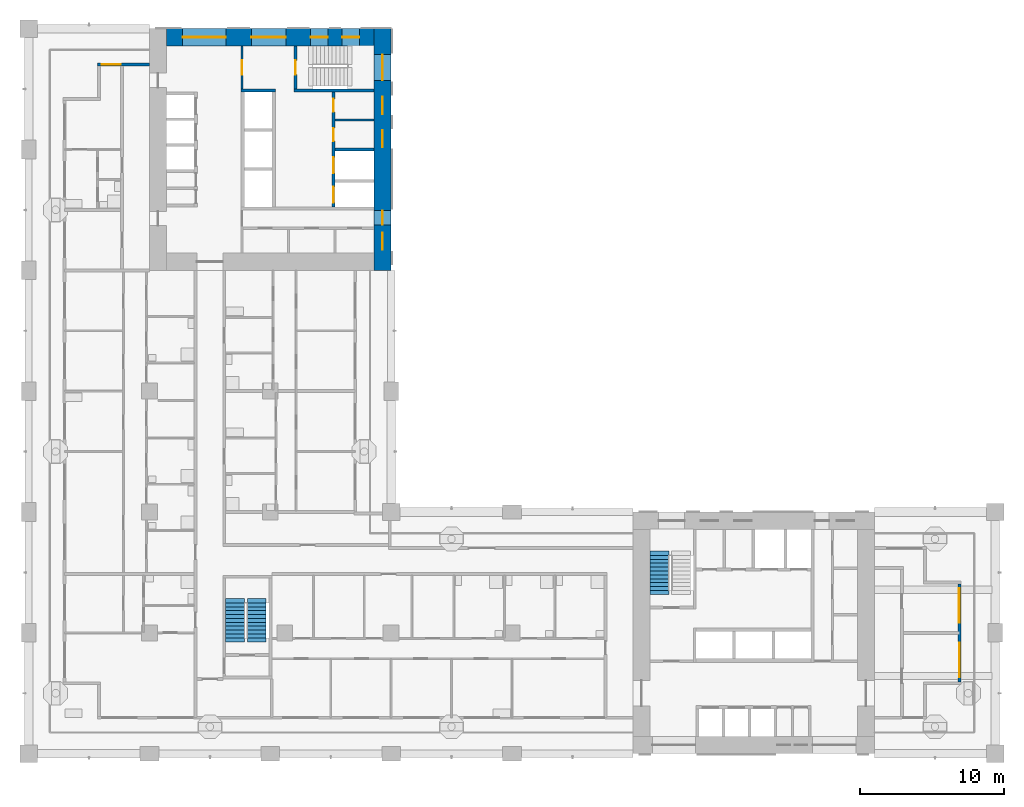
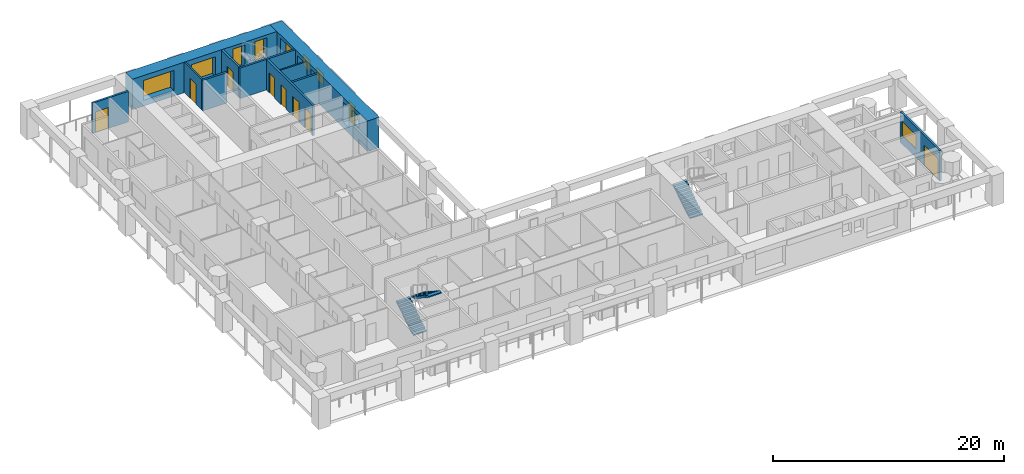
# One storey, part 8 of 19: 11 walls, 10 windows, 8 doors, 3 stair flights, 18 openings, 2 elements without a shape of their own.
"""IFC4 building model written with IfcOpenShell, lengths in metres."""

from ifc_helpers import new_model, si_unit, direction, frame, frame_2d, origin, place, context, subcontext, project, spatial, polyline, rectangle, outline, extrude, material, layer, layer_set, type_object, element, fill, aggregate, save


model = new_model("IFC4")

# Units and contexts
model_context = context("Model", 3, precision=1e-05, world=origin(), true_north=direction((0.0, 1.0)))
body_context = subcontext(model_context, "Body", "Model", "MODEL_VIEW")
ifc_project = project(units=[si_unit("LENGTHUNIT", "METRE"), si_unit("AREAUNIT", "SQUARE_METRE"), si_unit("VOLUMEUNIT", "CUBIC_METRE"), si_unit("PLANEANGLEUNIT", "RADIAN"), si_unit("MASSUNIT", "GRAM", prefix="KILO")], contexts=[model_context])

# Site, building, storey
site_placement = place(None, origin())
site = spatial("IfcSite", under=ifc_project, at=site_placement, CompositionType="ELEMENT")
building_placement = place(site_placement, origin())
building = spatial("IfcBuilding", under=site, at=building_placement, Name="Vermilion Gate Residences", CompositionType="ELEMENT")
storey_placement = place(building_placement, frame((0.0, 0.0, 123.199951171875)))
storey = spatial("IfcBuildingStorey", under=building, at=storey_placement, Name="L31", CompositionType="ELEMENT", Elevation=123.199951171875)

# Wall
ifc_material_1 = material(Name="Masonry blockwork", Category="masonry")
ifc_layer_1 = layer(ifc_material_1, 0.14990234375)
ifc_layer_set_1 = layer_set([ifc_layer_1], Name="BLOCKWORK PARTITION 150 EI 120")
wall_type_1 = type_object("IfcWallType", Name="BLOCKWORK PARTITION 150 EI 120", PredefinedType="PARTITIONING", material=ifc_layer_set_1)
wall_1_placement = place(storey_placement, frame((21.300048828125, 52.449951171875, 0.0), z_axis=(0.0, 0.0, 1.0), x_axis=(1.0, 0.0, 0.0)))
element("IfcWall", 1, at=wall_1_placement, inside=storey, type_object=wall_type_1, Name="Core room partition B31-NR-P0", PredefinedType="PARTITIONING", context=body_context, shape_type="SweptSolid", body=[
    extrude(rectangle(XDim=2.699951171875, YDim=0.14990234375, at=frame_2d((1.35009765625, 0.0))), origin(), (0.0, 0.0, 1.0), 3.219970703125),
])

# Wall, opening, door
wall_2_placement = place(storey_placement, frame((14.824951171875, 57.60009765625, 0.0), z_axis=(0.0, 0.0, 1.0), x_axis=(0.0, -1.0, 0.0)))
wall_2 = element("IfcWall", 2, at=wall_2_placement, inside=storey, type_object=wall_type_1, Name="Core room partition B31-VW-S", PredefinedType="PARTITIONING", context=body_context, shape_type="SweptSolid", body=[
    extrude(rectangle(XDim=3.0, YDim=0.14990234375, at=frame_2d((1.5, 0.0))), origin(), (0.0, 0.0, 1.0), 3.219970703125),
])
opening_1_placement = place(wall_2_placement, frame((1.0, 0.0, 0.0)))
opening_1 = element("IfcOpeningElement", 3, at=opening_1_placement, cuts=wall_2, Name="Opening DK31113", PredefinedType="OPENING", context=body_context, shape_type="SweptSolid", body=[
    extrude(rectangle(XDim=1.0, YDim=2.10009765625, at=frame_2d((0.5, 1.050048828125))), frame((0.0, 0.0849609375, 0.0), z_axis=(0.0, -1.0, 0.0), x_axis=(1.0, 0.0, 0.0)), (0.0, 0.0, 1.0), 0.169921875),
])
ifc_material_2 = material(Name="Steel", Category="steel")
door_type_1 = type_object("IfcDoorType", Name="FIRE DOOR FD60 1000 X 2100", OperationType="SINGLE_SWING_LEFT", PredefinedType="DOOR", material=ifc_material_2)
door_1_placement = place(opening_1_placement, frame((1.0, 0.0, 0.0), z_axis=(0.0, 0.0, 1.0), x_axis=(-1.0, 0.0, 0.0)))
door_1 = element("IfcDoor", 4, at=door_1_placement, inside=storey, type_object=door_type_1, Name="Stair vestibule door B31", OperationType="SINGLE_SWING_RIGHT", OverallHeight=2.10009765625, OverallWidth=1.0, PredefinedType="DOOR", context=body_context, shape_type="SweptSolid", body=[
    extrude(rectangle(XDim=1.0, YDim=2.10009765625, at=frame_2d((0.5, 1.050048828125))), frame((0.0, 0.02490234375, 0.0), z_axis=(0.0, -1.0, 0.0), x_axis=(1.0, 0.0, 0.0)), (0.0, 0.0, 1.0), 0.050048828125),
])
fill(opening_1, door_1)

ifc_material_3 = material(Name="Insulated steel stud wall with terracotta rainscreen", Category="masonry")
ifc_layer_2 = layer(ifc_material_3, 0.199951171875)
ifc_layer_set_2 = layer_set([ifc_layer_2], Name="EXTERNAL WALL 200 TERRACOTTA RAINSCREEN")
wall_type_2 = type_object("IfcWallType", Name="EXTERNAL WALL 200 TERRACOTTA RAINSCREEN", PredefinedType="SOLIDWALL", material=ifc_layer_set_2)
wall_3_placement = place(storey_placement, frame((8.39990234375, 56.300048828125, 0.0), z_axis=(0.0, 0.0, 1.0), x_axis=(-1.0, 0.0, 0.0)))
wall_3 = element("IfcWall", 5, at=wall_3_placement, inside=storey, type_object=wall_type_2, Name="External wall", PredefinedType="SOLIDWALL", context=body_context, shape_type="SweptSolid", body=[
    extrude(rectangle(XDim=3.599853515625, YDim=0.199951171875, at=frame_2d((1.7998046875, 0.0))), origin(), (0.0, 0.0, 1.0), 3.219970703125),
])
opening_2_placement = place(wall_3_placement, frame((2.0, 0.0, 0.0)))
opening_2 = element("IfcOpeningElement", 6, at=opening_2_placement, cuts=wall_3, Name="Opening DE31001", PredefinedType="OPENING", context=body_context, shape_type="SweptSolid", body=[
    extrude(rectangle(XDim=1.300048828125, YDim=2.199951171875, at=frame_2d((0.64990234375, 1.10009765625))), frame((0.0, 0.10986328125, 0.0), z_axis=(0.0, -1.0, 0.0), x_axis=(1.0, 0.0, 0.0)), (0.0, 0.0, 1.0), 0.219970703125),
])
ifc_material_4 = material(Name="Aluminium and clear glass", Category="aluminium")
door_type_2 = type_object("IfcDoorType", Name="SLIDING GLAZED DOOR 1300 X 2200", OperationType="DOUBLE_DOOR_SLIDING", PredefinedType="DOOR", material=ifc_material_4)
door_2_placement = place(opening_2_placement, origin())
door_2 = element("IfcDoor", 7, at=door_2_placement, inside=storey, type_object=door_type_2, Name="Loggia sliding door", OperationType="DOUBLE_DOOR_SLIDING", OverallHeight=2.199951171875, OverallWidth=1.300048828125, PredefinedType="DOOR", context=body_context, shape_type="SweptSolid", body=[
    extrude(rectangle(XDim=1.300048828125, YDim=2.199951171875, at=frame_2d((0.64990234375, 1.10009765625))), frame((0.0, 0.02490234375, 0.0), z_axis=(0.0, -1.0, 0.0), x_axis=(1.0, 0.0, 0.0)), (0.0, 0.0, 1.0), 0.050048828125),
])
fill(opening_2, door_2)

# Wall, openings, door, window
wall_4_placement = place(storey_placement, frame((64.699951171875, 13.39990234375, 0.0), z_axis=(0.0, 0.0, 1.0), x_axis=(0.0, 1.0, 0.0)))
wall_4 = element("IfcWall", 8, at=wall_4_placement, inside=storey, type_object=wall_type_2, Name="External wall", PredefinedType="SOLIDWALL", context=body_context, shape_type="SweptSolid", body=[
    extrude(rectangle(XDim=6.800048828125, YDim=0.199951171875, at=frame_2d((3.39990234375, 0.0))), origin(), (0.0, 0.0, 1.0), 3.219970703125),
])
opening_3_placement = place(wall_4_placement, frame((4.10009765625, 0.0, 0.89990234375)))
opening_3 = element("IfcOpeningElement", 9, at=opening_3_placement, cuts=wall_4, Name="Opening WE31022", PredefinedType="OPENING", context=body_context, shape_type="SweptSolid", body=[
    extrude(rectangle(XDim=2.39990234375, YDim=1.5, at=frame_2d((1.199951171875, 0.75))), frame((0.0, 0.10986328125, 0.0), z_axis=(0.0, -1.0, 0.0), x_axis=(1.0, 0.0, 0.0)), (0.0, 0.0, 1.0), 0.219970703125),
])
opening_4_placement = place(wall_4_placement, frame((0.300048828125, 0.0, 0.0)))
opening_4 = element("IfcOpeningElement", 10, at=opening_4_placement, cuts=wall_4, Name="Opening DE31028", PredefinedType="OPENING", context=body_context, shape_type="SweptSolid", body=[
    extrude(rectangle(XDim=2.39990234375, YDim=2.199951171875, at=frame_2d((1.199951171875, 1.10009765625))), frame((0.0, 0.10986328125, 0.0), z_axis=(0.0, -1.0, 0.0), x_axis=(1.0, 0.0, 0.0)), (0.0, 0.0, 1.0), 0.219970703125),
])
ifc_material_5 = material(Name="Aluminium and clear glass", Category="aluminium")
door_type_3 = type_object("IfcDoorType", Name="SLIDING GLAZED DOOR 2400 X 2200", OperationType="DOUBLE_DOOR_SLIDING", PredefinedType="DOOR", material=ifc_material_5)
door_3_placement = place(opening_4_placement, origin())
door_3 = element("IfcDoor", 11, at=door_3_placement, inside=storey, type_object=door_type_3, Name="Loggia sliding door", OperationType="DOUBLE_DOOR_SLIDING", OverallHeight=2.199951171875, OverallWidth=2.39990234375, PredefinedType="DOOR", context=body_context, shape_type="SweptSolid", body=[
    extrude(rectangle(XDim=2.39990234375, YDim=2.199951171875, at=frame_2d((1.199951171875, 1.10009765625))), frame((0.0, 0.02490234375, 0.0), z_axis=(0.0, -1.0, 0.0), x_axis=(1.0, 0.0, 0.0)), (0.0, 0.0, 1.0), 0.050048828125),
])
fill(opening_4, door_3)
ifc_material_6 = material(Name="Aluminium and clear glass", Category="aluminium")
window_type_1 = type_object("IfcWindowType", Name="WINDOW 2400 X 1500", PartitioningType="SINGLE_PANEL", PredefinedType="WINDOW", material=ifc_material_6)
window_1_placement = place(opening_3_placement, origin())
window_1 = element("IfcWindow", 12, at=window_1_placement, inside=storey, type_object=window_type_1, Name="Window", OverallHeight=1.5, OverallWidth=2.39990234375, PartitioningType="SINGLE_PANEL", PredefinedType="WINDOW", context=body_context, shape_type="SweptSolid", body=[
    extrude(rectangle(XDim=2.39990234375, YDim=1.5, at=frame_2d((1.199951171875, 0.75))), frame((0.0, 0.030029296875, 0.0), z_axis=(0.0, -1.0, 0.0), x_axis=(1.0, 0.0, 0.0)), (0.0, 0.0, 1.0), 0.06005859375),
])
fill(opening_3, window_1)

# Wall
ifc_material_7 = material(Name="Concrete C60", Category="concrete")
ifc_layer_3 = layer(ifc_material_7, 0.199951171875)
ifc_layer_set_3 = layer_set([ifc_layer_3], Name="RC CORE INTERNAL WALL 200 C60")
wall_type_3 = type_object("IfcWallType", Name="RC CORE INTERNAL WALL 200 C60", PredefinedType="SHEAR", material=ifc_layer_set_3)
wall_5_placement = place(storey_placement, frame((21.300048828125, 50.39990234375, 0.0), z_axis=(0.0, 0.0, 1.0), x_axis=(1.0, 0.0, 0.0)))
element("IfcWall", 13, at=wall_5_placement, inside=storey, type_object=wall_type_3, Name="Core internal wall B31-FF-D0", PredefinedType="SHEAR", context=body_context, shape_type="SweptSolid", body=[
    extrude(rectangle(XDim=2.699951171875, YDim=0.199951171875, at=frame_2d((1.35009765625, 0.0))), origin(), (0.0, 0.0, 1.0), 3.219970703125),
])

# Wall, openings, doors
wall_6_placement = place(storey_placement, frame((21.199951171875, 54.39990234375, 0.0), z_axis=(0.0, 0.0, 1.0), x_axis=(0.0, -1.0, 0.0)))
wall_6 = element("IfcWall", 14, at=wall_6_placement, inside=storey, type_object=wall_type_3, Name="Core internal wall B31-FF-F", PredefinedType="SHEAR", context=body_context, shape_type="SweptSolid", body=[
    extrude(rectangle(XDim=8.0, YDim=0.199951171875, at=frame_2d((4.0, 0.0))), origin(), (0.0, 0.0, 1.0), 3.219970703125),
])
opening_5_placement = place(wall_6_placement, frame((0.487548828125, 0.0, 0.0)))
opening_5 = element("IfcOpeningElement", 15, at=opening_5_placement, cuts=wall_6, Name="Opening DK31109", PredefinedType="OPENING", context=body_context, shape_type="SweptSolid", body=[
    extrude(rectangle(XDim=0.89990234375, YDim=2.10009765625, at=frame_2d((0.449951171875, 1.050048828125))), frame((0.0, 0.10986328125, 0.0), z_axis=(0.0, -1.0, 0.0), x_axis=(1.0, 0.0, 0.0)), (0.0, 0.0, 1.0), 0.219970703125),
])
opening_6_placement = place(wall_6_placement, frame((2.512451171875, 0.0, 0.0)))
opening_6 = element("IfcOpeningElement", 16, at=opening_6_placement, cuts=wall_6, Name="Opening DK31110", PredefinedType="OPENING", context=body_context, shape_type="SweptSolid", body=[
    extrude(rectangle(XDim=0.89990234375, YDim=2.10009765625, at=frame_2d((0.449951171875, 1.050048828125))), frame((0.0, 0.10986328125, 0.0), z_axis=(0.0, -1.0, 0.0), x_axis=(1.0, 0.0, 0.0)), (0.0, 0.0, 1.0), 0.219970703125),
])
opening_7_placement = place(wall_6_placement, frame((4.550048828125, 0.0, 0.0)))
opening_7 = element("IfcOpeningElement", 17, at=opening_7_placement, cuts=wall_6, Name="Opening LD", PredefinedType="OPENING", context=body_context, shape_type="SweptSolid", body=[
    extrude(rectangle(XDim=1.10009765625, YDim=2.10009765625, at=frame_2d((0.550048828125, 1.050048828125))), frame((0.0, 0.10986328125, 0.0), z_axis=(0.0, -1.0, 0.0), x_axis=(1.0, 0.0, 0.0)), (0.0, 0.0, 1.0), 0.219970703125),
])
opening_8_placement = place(wall_6_placement, frame((6.60009765625, 0.0, 0.0)))
opening_8 = element("IfcOpeningElement", 18, at=opening_8_placement, cuts=wall_6, Name="Opening LD", PredefinedType="OPENING", context=body_context, shape_type="SweptSolid", body=[
    extrude(rectangle(XDim=1.10009765625, YDim=2.10009765625, at=frame_2d((0.550048828125, 1.050048828125))), frame((0.0, 0.10986328125, 0.0), z_axis=(0.0, -1.0, 0.0), x_axis=(1.0, 0.0, 0.0)), (0.0, 0.0, 1.0), 0.219970703125),
])
ifc_material_8 = material(Name="Stainless steel", Category="steel")
door_type_4 = type_object("IfcDoorType", Name="LIFT LANDING DOOR E60 1100 X 2100", OperationType="DOUBLE_DOOR_SLIDING", PredefinedType="DOOR", material=ifc_material_8)
door_4_placement = place(opening_7_placement, origin())
door_4 = element("IfcDoor", 19, at=door_4_placement, inside=storey, type_object=door_type_4, Name="Lift landing door LFB1", OperationType="DOUBLE_DOOR_SLIDING", OverallHeight=2.10009765625, OverallWidth=1.10009765625, PredefinedType="DOOR", context=body_context, shape_type="SweptSolid", body=[
    extrude(rectangle(XDim=1.10009765625, YDim=2.10009765625, at=frame_2d((0.550048828125, 1.050048828125))), frame((0.0, 0.02490234375, 0.0), z_axis=(0.0, -1.0, 0.0), x_axis=(1.0, 0.0, 0.0)), (0.0, 0.0, 1.0), 0.050048828125),
])
fill(opening_7, door_4)
door_5_placement = place(opening_8_placement, origin())
door_5 = element("IfcDoor", 20, at=door_5_placement, inside=storey, type_object=door_type_4, Name="Lift landing door LCB1", OperationType="DOUBLE_DOOR_SLIDING", OverallHeight=2.10009765625, OverallWidth=1.10009765625, PredefinedType="DOOR", context=body_context, shape_type="SweptSolid", body=[
    extrude(rectangle(XDim=1.10009765625, YDim=2.10009765625, at=frame_2d((0.550048828125, 1.050048828125))), frame((0.0, 0.02490234375, 0.0), z_axis=(0.0, -1.0, 0.0), x_axis=(1.0, 0.0, 0.0)), (0.0, 0.0, 1.0), 0.050048828125),
])
fill(opening_8, door_5)
ifc_material_9 = material(Name="Steel", Category="steel")
door_type_5 = type_object("IfcDoorType", Name="SERVICE ROOM DOOR FD60 900 X 2100", OperationType="SINGLE_SWING_LEFT", PredefinedType="DOOR", material=ifc_material_9)
door_6_placement = place(opening_5_placement, origin())
door_6 = element("IfcDoor", 21, at=door_6_placement, inside=storey, type_object=door_type_5, Name="Communications riser B31", OperationType="SINGLE_SWING_RIGHT", OverallHeight=2.10009765625, OverallWidth=0.89990234375, PredefinedType="DOOR", context=body_context, shape_type="SweptSolid", body=[
    extrude(rectangle(XDim=0.89990234375, YDim=2.10009765625, at=frame_2d((0.449951171875, 1.050048828125))), frame((0.0, 0.02490234375, 0.0), z_axis=(0.0, -1.0, 0.0), x_axis=(1.0, 0.0, 0.0)), (0.0, 0.0, 1.0), 0.050048828125),
])
fill(opening_5, door_6)
door_7_placement = place(opening_6_placement, origin())
door_7 = element("IfcDoor", 22, at=door_7_placement, inside=storey, type_object=door_type_5, Name="Refuse room B31", OperationType="SINGLE_SWING_RIGHT", OverallHeight=2.10009765625, OverallWidth=0.89990234375, PredefinedType="DOOR", context=body_context, shape_type="SweptSolid", body=[
    extrude(rectangle(XDim=0.89990234375, YDim=2.10009765625, at=frame_2d((0.449951171875, 1.050048828125))), frame((0.0, 0.02490234375, 0.0), z_axis=(0.0, -1.0, 0.0), x_axis=(1.0, 0.0, 0.0)), (0.0, 0.0, 1.0), 0.050048828125),
])
fill(opening_6, door_7)

# Walls
wall_7_placement = place(storey_placement, frame((14.75, 54.5, 0.0), z_axis=(0.0, 0.0, 1.0), x_axis=(1.0, 0.0, 0.0)))
element("IfcWall", 23, at=wall_7_placement, inside=storey, type_object=wall_type_3, Name="Core internal wall B31-WDIV1", PredefinedType="SHEAR", context=body_context, shape_type="SweptSolid", body=[
    extrude(rectangle(XDim=2.39990234375, YDim=0.199951171875, at=frame_2d((1.199951171875, 0.0))), origin(), (0.0, 0.0, 1.0), 3.219970703125),
])
wall_8_placement = place(storey_placement, frame((18.449951171875, 54.5, 0.0), z_axis=(0.0, 0.0, 1.0), x_axis=(1.0, 0.0, 0.0)))
element("IfcWall", 24, at=wall_8_placement, inside=storey, type_object=wall_type_3, Name="Core internal wall B31-WDIV2", PredefinedType="SHEAR", context=body_context, shape_type="SweptSolid", body=[
    extrude(rectangle(XDim=5.550048828125, YDim=0.199951171875, at=frame_2d((2.77490234375, 0.0))), origin(), (0.0, 0.0, 1.0), 3.219970703125),
])

# Wall, opening, door
wall_9_placement = place(storey_placement, frame((18.550048828125, 57.60009765625, 0.0), z_axis=(0.0, 0.0, 1.0), x_axis=(0.0, -1.0, 0.0)))
wall_9 = element("IfcWall", 25, at=wall_9_placement, inside=storey, type_object=wall_type_3, Name="Core internal wall B31-STW-S", PredefinedType="SHEAR", context=body_context, shape_type="SweptSolid", body=[
    extrude(rectangle(XDim=3.0, YDim=0.199951171875, at=frame_2d((1.5, 0.0))), origin(), (0.0, 0.0, 1.0), 3.219970703125),
])
opening_9_placement = place(wall_9_placement, frame((1.0, 0.0, 0.0)))
opening_9 = element("IfcOpeningElement", 26, at=opening_9_placement, cuts=wall_9, Name="Opening DK31114", PredefinedType="OPENING", context=body_context, shape_type="SweptSolid", body=[
    extrude(rectangle(XDim=1.0, YDim=2.10009765625, at=frame_2d((0.5, 1.050048828125))), frame((0.0, 0.10986328125, 0.0), z_axis=(0.0, -1.0, 0.0), x_axis=(1.0, 0.0, 0.0)), (0.0, 0.0, 1.0), 0.219970703125),
])
door_8_placement = place(opening_9_placement, origin())
door_8 = element("IfcDoor", 27, at=door_8_placement, inside=storey, type_object=door_type_1, Name="Stair door B31", OperationType="SINGLE_SWING_LEFT", OverallHeight=2.10009765625, OverallWidth=1.0, PredefinedType="DOOR", context=body_context, shape_type="SweptSolid", body=[
    extrude(rectangle(XDim=1.0, YDim=2.10009765625, at=frame_2d((0.5, 1.050048828125))), frame((0.0, 0.02490234375, 0.0), z_axis=(0.0, -1.0, 0.0), x_axis=(1.0, 0.0, 0.0)), (0.0, 0.0, 1.0), 0.050048828125),
])
fill(opening_9, door_8)

# Wall, openings, windows
ifc_material_10 = material(Name="Concrete C70 red-oxide pigmented", Category="concrete")
ifc_layer_4 = layer(ifc_material_10, 1.199951171875)
ifc_layer_set_4 = layer_set([ifc_layer_4], Name="RC CORE WALL 1200 C70 RED OXIDE")
wall_type_4 = type_object("IfcWallType", Name="RC CORE WALL 1200 C70 RED OXIDE", PredefinedType="SHEAR", material=ifc_layer_set_4)
wall_10_placement = place(storey_placement, frame((24.60009765625, 58.800048828125, 0.0), z_axis=(0.0, 0.0, 1.0), x_axis=(0.0, -1.0, 0.0)))
wall_10 = element("IfcWall", 28, at=wall_10_placement, inside=storey, type_object=wall_type_4, Name="Core wall B31-OUT-B1", PredefinedType="SHEAR", context=body_context, shape_type="SweptSolid", body=[
    extrude(rectangle(XDim=16.800048828125, YDim=1.199951171875, at=frame_2d((8.39990234375, 0.0))), origin(), (0.0, 0.0, 1.0), 3.219970703125),
])
opening_10_placement = place(wall_10_placement, frame((1.800048828125, 0.0, 0.5)))
opening_10 = element("IfcOpeningElement", 29, at=opening_10_placement, cuts=wall_10, Name="Opening WKB3101", PredefinedType="OPENING", context=body_context, shape_type="SweptSolid", body=[
    extrude(rectangle(XDim=1.800048828125, YDim=2.39990234375, at=frame_2d((0.89990234375, 1.199951171875))), frame((0.0, 0.60986328125, 0.0), z_axis=(0.0, -1.0, 0.0), x_axis=(1.0, 0.0, 0.0)), (0.0, 0.0, 1.0), 1.219970703125),
])
opening_11_placement = place(wall_10_placement, frame((4.737548828125, 0.0, 1.60009765625)))
opening_11 = element("IfcOpeningElement", 30, at=opening_11_placement, cuts=wall_10, Name="Opening WKB3102", PredefinedType="OPENING", context=body_context, shape_type="SweptSolid", body=[
    extrude(rectangle(XDim=1.199951171875, YDim=1.199951171875, at=frame_2d((0.60009765625, 0.60009765625))), frame((0.0, 0.60986328125, 0.0), z_axis=(0.0, -1.0, 0.0), x_axis=(1.0, 0.0, 0.0)), (0.0, 0.0, 1.0), 1.219970703125),
])
opening_12_placement = place(wall_10_placement, frame((7.050048828125, 0.0, 1.60009765625)))
opening_12 = element("IfcOpeningElement", 31, at=opening_12_placement, cuts=wall_10, Name="Opening WKB3103", PredefinedType="OPENING", context=body_context, shape_type="SweptSolid", body=[
    extrude(rectangle(XDim=1.199951171875, YDim=1.199951171875, at=frame_2d((0.60009765625, 0.60009765625))), frame((0.0, 0.60986328125, 0.0), z_axis=(0.0, -1.0, 0.0), x_axis=(1.0, 0.0, 0.0)), (0.0, 0.0, 1.0), 1.219970703125),
])
opening_13_placement = place(wall_10_placement, frame((12.64990234375, 0.0, 0.60009765625)))
opening_13 = element("IfcOpeningElement", 32, at=opening_13_placement, cuts=wall_10, Name="Opening WKB3104", PredefinedType="OPENING", context=body_context, shape_type="SweptSolid", body=[
    extrude(rectangle(XDim=1.0, YDim=2.10009765625, at=frame_2d((0.5, 1.050048828125))), frame((0.0, 0.60986328125, 0.0), z_axis=(0.0, -1.0, 0.0), x_axis=(1.0, 0.0, 0.0)), (0.0, 0.0, 1.0), 1.219970703125),
])
opening_14_placement = place(wall_10_placement, frame((14.175048828125, 0.0, 1.60009765625)))
opening_14 = element("IfcOpeningElement", 33, at=opening_14_placement, cuts=wall_10, Name="Opening WKB3105", PredefinedType="OPENING", context=body_context, shape_type="SweptSolid", body=[
    extrude(rectangle(XDim=1.199951171875, YDim=1.199951171875, at=frame_2d((0.60009765625, 0.60009765625))), frame((0.0, 0.60986328125, 0.0), z_axis=(0.0, -1.0, 0.0), x_axis=(1.0, 0.0, 0.0)), (0.0, 0.0, 1.0), 1.219970703125),
])
ifc_material_11 = material(Name="Aluminium and clear glass", Category="aluminium")
window_type_2 = type_object("IfcWindowType", Name="CORE CORRIDOR WINDOW 1000 X 2100", PartitioningType="SINGLE_PANEL", PredefinedType="WINDOW", material=ifc_material_11)
window_2_placement = place(opening_13_placement, origin())
window_2 = element("IfcWindow", 34, at=window_2_placement, inside=storey, type_object=window_type_2, Name="Core corridor window", OverallHeight=2.10009765625, OverallWidth=1.0, PartitioningType="SINGLE_PANEL", PredefinedType="WINDOW", context=body_context, shape_type="SweptSolid", body=[
    extrude(rectangle(XDim=1.0, YDim=2.10009765625, at=frame_2d((0.5, 1.050048828125))), frame((0.0, 0.030029296875, 0.0), z_axis=(0.0, -1.0, 0.0), x_axis=(1.0, 0.0, 0.0)), (0.0, 0.0, 1.0), 0.06005859375),
])
fill(opening_13, window_2)
ifc_material_12 = material(Name="Aluminium frame with louvre blades", Category="aluminium")
window_type_3 = type_object("IfcWindowType", Name="CORE LOUVRE 1200 X 1200", PartitioningType="SINGLE_PANEL", PredefinedType="WINDOW", material=ifc_material_12)
window_3_placement = place(opening_11_placement, origin())
window_3 = element("IfcWindow", 35, at=window_3_placement, inside=storey, type_object=window_type_3, Name="Core louvre", OverallHeight=1.199951171875, OverallWidth=1.199951171875, PartitioningType="SINGLE_PANEL", PredefinedType="WINDOW", context=body_context, shape_type="SweptSolid", body=[
    extrude(rectangle(XDim=1.199951171875, YDim=1.199951171875, at=frame_2d((0.60009765625, 0.60009765625))), frame((0.0, 0.030029296875, 0.0), z_axis=(0.0, -1.0, 0.0), x_axis=(1.0, 0.0, 0.0)), (0.0, 0.0, 1.0), 0.06005859375),
])
fill(opening_11, window_3)
window_4_placement = place(opening_12_placement, origin())
window_4 = element("IfcWindow", 36, at=window_4_placement, inside=storey, type_object=window_type_3, Name="Core louvre", OverallHeight=1.199951171875, OverallWidth=1.199951171875, PartitioningType="SINGLE_PANEL", PredefinedType="WINDOW", context=body_context, shape_type="SweptSolid", body=[
    extrude(rectangle(XDim=1.199951171875, YDim=1.199951171875, at=frame_2d((0.60009765625, 0.60009765625))), frame((0.0, 0.030029296875, 0.0), z_axis=(0.0, -1.0, 0.0), x_axis=(1.0, 0.0, 0.0)), (0.0, 0.0, 1.0), 0.06005859375),
])
fill(opening_12, window_4)
window_5_placement = place(opening_14_placement, origin())
window_5 = element("IfcWindow", 37, at=window_5_placement, inside=storey, type_object=window_type_3, Name="Core louvre", OverallHeight=1.199951171875, OverallWidth=1.199951171875, PartitioningType="SINGLE_PANEL", PredefinedType="WINDOW", context=body_context, shape_type="SweptSolid", body=[
    extrude(rectangle(XDim=1.199951171875, YDim=1.199951171875, at=frame_2d((0.60009765625, 0.60009765625))), frame((0.0, 0.030029296875, 0.0), z_axis=(0.0, -1.0, 0.0), x_axis=(1.0, 0.0, 0.0)), (0.0, 0.0, 1.0), 0.06005859375),
])
fill(opening_14, window_5)
ifc_material_13 = material(Name="Aluminium and clear glass", Category="aluminium")
window_type_4 = type_object("IfcWindowType", Name="CORE STAIR WINDOW 1800 X 2400", PartitioningType="SINGLE_PANEL", PredefinedType="WINDOW", material=ifc_material_13)
window_6_placement = place(opening_10_placement, origin())
window_6 = element("IfcWindow", 38, at=window_6_placement, inside=storey, type_object=window_type_4, Name="Core stair window", OverallHeight=2.39990234375, OverallWidth=1.800048828125, PartitioningType="SINGLE_PANEL", PredefinedType="WINDOW", context=body_context, shape_type="SweptSolid", body=[
    extrude(rectangle(XDim=1.800048828125, YDim=2.39990234375, at=frame_2d((0.89990234375, 1.199951171875))), frame((0.0, 0.030029296875, 0.0), z_axis=(0.0, -1.0, 0.0), x_axis=(1.0, 0.0, 0.0)), (0.0, 0.0, 1.0), 0.06005859375),
])
fill(opening_10, window_6)

wall_11_placement = place(storey_placement, frame((9.60009765625, 58.199951171875, 0.0), z_axis=(0.0, 0.0, 1.0), x_axis=(1.0, 0.0, 0.0)))
wall_11 = element("IfcWall", 39, at=wall_11_placement, inside=storey, type_object=wall_type_4, Name="Core wall B31-OUT-FR", PredefinedType="SHEAR", context=body_context, shape_type="SweptSolid", body=[
    extrude(rectangle(XDim=14.39990234375, YDim=1.199951171875, at=frame_2d((7.199951171875, 0.0))), origin(), (0.0, 0.0, 1.0), 3.219970703125),
])
opening_15_placement = place(wall_11_placement, frame((1.10498046875, 0.0, 0.60009765625)))
opening_15 = element("IfcOpeningElement", 40, at=opening_15_placement, cuts=wall_11, Name="Opening WKB3106", PredefinedType="OPENING", context=body_context, shape_type="SweptSolid", body=[
    extrude(rectangle(XDim=3.0, YDim=2.10009765625, at=frame_2d((1.5, 1.050048828125))), frame((0.0, 0.60986328125, 0.0), z_axis=(0.0, -1.0, 0.0), x_axis=(1.0, 0.0, 0.0)), (0.0, 0.0, 1.0), 1.219970703125),
])
opening_16_placement = place(wall_11_placement, frame((5.875, 0.0, 0.60009765625)))
opening_16 = element("IfcOpeningElement", 41, at=opening_16_placement, cuts=wall_11, Name="Opening WKB3107", PredefinedType="OPENING", context=body_context, shape_type="SweptSolid", body=[
    extrude(rectangle(XDim=2.39990234375, YDim=2.10009765625, at=frame_2d((1.199951171875, 1.050048828125))), frame((0.0, 0.60986328125, 0.0), z_axis=(0.0, -1.0, 0.0), x_axis=(1.0, 0.0, 0.0)), (0.0, 0.0, 1.0), 1.219970703125),
])
opening_17_placement = place(wall_11_placement, frame((9.993408203125, 0.0, 0.5)))
opening_17 = element("IfcOpeningElement", 42, at=opening_17_placement, cuts=wall_11, Name="Opening WKB3108", PredefinedType="OPENING", context=body_context, shape_type="SweptSolid", body=[
    extrude(rectangle(XDim=1.199951171875, YDim=2.39990234375, at=frame_2d((0.60009765625, 1.199951171875))), frame((0.0, 0.60986328125, 0.0), z_axis=(0.0, -1.0, 0.0), x_axis=(1.0, 0.0, 0.0)), (0.0, 0.0, 1.0), 1.219970703125),
])
opening_18_placement = place(wall_11_placement, frame((12.19677734375, 0.0, 0.5)))
opening_18 = element("IfcOpeningElement", 43, at=opening_18_placement, cuts=wall_11, Name="Opening WKB3109", PredefinedType="OPENING", context=body_context, shape_type="SweptSolid", body=[
    extrude(rectangle(XDim=1.199951171875, YDim=2.39990234375, at=frame_2d((0.60009765625, 1.199951171875))), frame((0.0, 0.60986328125, 0.0), z_axis=(0.0, -1.0, 0.0), x_axis=(1.0, 0.0, 0.0)), (0.0, 0.0, 1.0), 1.219970703125),
])
ifc_material_14 = material(Name="Aluminium and clear glass", Category="aluminium")
window_type_5 = type_object("IfcWindowType", Name="CORE LOBBY WINDOW 2400 X 2100", PartitioningType="SINGLE_PANEL", PredefinedType="WINDOW", material=ifc_material_14)
window_7_placement = place(opening_16_placement, origin())
window_7 = element("IfcWindow", 44, at=window_7_placement, inside=storey, type_object=window_type_5, Name="Core lobby window", OverallHeight=2.10009765625, OverallWidth=2.39990234375, PartitioningType="SINGLE_PANEL", PredefinedType="WINDOW", context=body_context, shape_type="SweptSolid", body=[
    extrude(rectangle(XDim=2.39990234375, YDim=2.10009765625, at=frame_2d((1.199951171875, 1.050048828125))), frame((0.0, 0.030029296875, 0.0), z_axis=(0.0, -1.0, 0.0), x_axis=(1.0, 0.0, 0.0)), (0.0, 0.0, 1.0), 0.06005859375),
])
fill(opening_16, window_7)
ifc_material_15 = material(Name="Aluminium and clear glass", Category="aluminium")
window_type_6 = type_object("IfcWindowType", Name="CORE LOBBY WINDOW 3000 X 2100", PartitioningType="SINGLE_PANEL", PredefinedType="WINDOW", material=ifc_material_15)
window_8_placement = place(opening_15_placement, origin())
window_8 = element("IfcWindow", 45, at=window_8_placement, inside=storey, type_object=window_type_6, Name="Core lobby window", OverallHeight=2.10009765625, OverallWidth=3.0, PartitioningType="SINGLE_PANEL", PredefinedType="WINDOW", context=body_context, shape_type="SweptSolid", body=[
    extrude(rectangle(XDim=3.0, YDim=2.10009765625, at=frame_2d((1.5, 1.050048828125))), frame((0.0, 0.030029296875, 0.0), z_axis=(0.0, -1.0, 0.0), x_axis=(1.0, 0.0, 0.0)), (0.0, 0.0, 1.0), 0.06005859375),
])
fill(opening_15, window_8)
ifc_material_16 = material(Name="Aluminium and clear glass", Category="aluminium")
window_type_7 = type_object("IfcWindowType", Name="CORE STAIR WINDOW 1200 X 2400", PartitioningType="SINGLE_PANEL", PredefinedType="WINDOW", material=ifc_material_16)
window_9_placement = place(opening_17_placement, origin())
window_9 = element("IfcWindow", 46, at=window_9_placement, inside=storey, type_object=window_type_7, Name="Core stair window", OverallHeight=2.39990234375, OverallWidth=1.199951171875, PartitioningType="SINGLE_PANEL", PredefinedType="WINDOW", context=body_context, shape_type="SweptSolid", body=[
    extrude(rectangle(XDim=1.199951171875, YDim=2.39990234375, at=frame_2d((0.60009765625, 1.199951171875))), frame((0.0, 0.030029296875, 0.0), z_axis=(0.0, -1.0, 0.0), x_axis=(1.0, 0.0, 0.0)), (0.0, 0.0, 1.0), 0.06005859375),
])
fill(opening_17, window_9)
window_10_placement = place(opening_18_placement, origin())
window_10 = element("IfcWindow", 47, at=window_10_placement, inside=storey, type_object=window_type_7, Name="Core stair window", OverallHeight=2.39990234375, OverallWidth=1.199951171875, PartitioningType="SINGLE_PANEL", PredefinedType="WINDOW", context=body_context, shape_type="SweptSolid", body=[
    extrude(rectangle(XDim=1.199951171875, YDim=2.39990234375, at=frame_2d((0.60009765625, 1.199951171875))), frame((0.0, 0.030029296875, 0.0), z_axis=(0.0, -1.0, 0.0), x_axis=(1.0, 0.0, 0.0)), (0.0, 0.0, 1.0), 0.06005859375),
])
fill(opening_18, window_10)

# Stair, stair flight
ifc_material_17 = material(Name="Concrete C50", Category="concrete")
stair_type = type_object("IfcStairType", Name="SPECIAL ESCAPE STAIR 1300", PredefinedType="HALF_TURN_STAIR", material=ifc_material_17)
stair_1_placement = place(storey_placement, origin())
stair_1 = element("IfcStair", 48, at=stair_1_placement, inside=storey, type_object=stair_type, Name="Special escape stair STA1-31", PredefinedType="HALF_TURN_STAIR")
ifc_material_18 = material(Name="Concrete C50", Category="concrete")
stair_flight_type = type_object("IfcStairFlightType", Name="STAIR FLIGHT 1300 RC C50", PredefinedType="STRAIGHT", material=ifc_material_18)
stair_flight_1_placement = place(storey_placement, frame((43.85009765625, 19.75, 0.0), z_axis=(0.0, 0.0, 1.0), x_axis=(0.0, 1.0, 0.0)))
stair_flight_1 = element("IfcStairFlight", 49, at=stair_flight_1_placement, type_object=stair_flight_type, Name="STA1-31 flight 1", NumberOfRisers=10, NumberOfTreads=9, PredefinedType="STRAIGHT", RiserHeight=0.175, TreadLength=0.27, context=body_context, shape_type="SweptSolid", body=[
    extrude(outline(polyline([(-0.300048828125, -0.14990234375), (-0.300048828125, -0.030029296875), (0.0, 0.0), (0.0, 0.175048828125), (0.27001953125, 0.175048828125), (0.27001953125, 0.35009765625), (0.5400390625, 0.35009765625), (0.5400390625, 0.52490234375), (0.81005859375, 0.52490234375), (0.81005859375, 0.699951171875), (1.080078125, 0.699951171875), (1.080078125, 0.875), (1.35009765625, 0.875), (1.35009765625, 1.050048828125), (1.6201171875, 1.050048828125), (1.6201171875, 1.22509765625), (1.889892578125, 1.22509765625), (1.889892578125, 1.39990234375), (2.159912109375, 1.39990234375), (2.159912109375, 1.574951171875), (2.429931640625, 1.574951171875), (2.429931640625, 1.75), (2.72998046875, 1.719970703125), (2.72998046875, 1.60009765625), (2.429931640625, 1.396484375), (0.275634765625, 0.0), (-0.300048828125, -0.14990234375)])), frame((0.0, 0.64990234375, 0.0), z_axis=(0.0, -1.0, 0.0), x_axis=(1.0, 0.0, 0.0)), (0.0, 0.0, 1.0), 1.300048828125),
])
aggregate(stair_1, [stair_flight_1])

# Stair, stair flights
stair_2_placement = place(storey_placement, origin())
stair_2 = element("IfcStair", 50, at=stair_2_placement, inside=storey, type_object=stair_type, Name="Special escape stair STC1-31", PredefinedType="HALF_TURN_STAIR")
stair_flight_2_placement = place(storey_placement, frame((14.35009765625, 16.449951171875, 0.0), z_axis=(0.0, 0.0, 1.0), x_axis=(0.0, 1.0, 0.0)))
stair_flight_2 = element("IfcStairFlight", 51, at=stair_flight_2_placement, type_object=stair_flight_type, Name="STC1-31 flight 1", NumberOfRisers=10, NumberOfTreads=9, PredefinedType="STRAIGHT", RiserHeight=0.175, TreadLength=0.27, context=body_context, shape_type="SweptSolid", body=[
    extrude(outline(polyline([(-0.300048828125, -0.14990234375), (-0.300048828125, -0.030029296875), (0.0, 0.0), (0.0, 0.175048828125), (0.27001953125, 0.175048828125), (0.27001953125, 0.35009765625), (0.5400390625, 0.35009765625), (0.5400390625, 0.52490234375), (0.81005859375, 0.52490234375), (0.81005859375, 0.699951171875), (1.080078125, 0.699951171875), (1.080078125, 0.875), (1.35009765625, 0.875), (1.35009765625, 1.050048828125), (1.6201171875, 1.050048828125), (1.6201171875, 1.22509765625), (1.889892578125, 1.22509765625), (1.889892578125, 1.39990234375), (2.159912109375, 1.39990234375), (2.159912109375, 1.574951171875), (2.429931640625, 1.574951171875), (2.429931640625, 1.75), (2.72998046875, 1.719970703125), (2.72998046875, 1.60009765625), (2.429931640625, 1.396484375), (0.275634765625, 0.0), (-0.300048828125, -0.14990234375)])), frame((0.0, 0.64990234375, 0.0), z_axis=(0.0, -1.0, 0.0), x_axis=(1.0, 0.0, 0.0)), (0.0, 0.0, 1.0), 1.300048828125),
])
stair_flight_3_placement = place(storey_placement, frame((15.85009765625, 18.8798828125, 1.75), z_axis=(0.0, 0.0, 1.0), x_axis=(0.0, -1.0, 0.0)))
stair_flight_3 = element("IfcStairFlight", 52, at=stair_flight_3_placement, type_object=stair_flight_type, Name="STC1-31 flight 2", NumberOfRisers=10, NumberOfTreads=9, PredefinedType="STRAIGHT", RiserHeight=0.175, TreadLength=0.27, context=body_context, shape_type="SweptSolid", body=[
    extrude(outline(polyline([(-0.300048828125, -0.14990234375), (-0.300048828125, -0.030029296875), (0.0, 0.0), (0.0, 0.175048828125), (0.27001953125, 0.175048828125), (0.27001953125, 0.35009765625), (0.5400390625, 0.35009765625), (0.5400390625, 0.52490234375), (0.81005859375, 0.52490234375), (0.81005859375, 0.699951171875), (1.080078125, 0.699951171875), (1.080078125, 0.875), (1.35009765625, 0.875), (1.35009765625, 1.050048828125), (1.6201171875, 1.050048828125), (1.6201171875, 1.22509765625), (1.889892578125, 1.22509765625), (1.889892578125, 1.39990234375), (2.159912109375, 1.39990234375), (2.159912109375, 1.574951171875), (2.429931640625, 1.574951171875), (2.429931640625, 1.75), (2.72998046875, 1.719970703125), (2.72998046875, 1.60009765625), (2.429931640625, 1.396484375), (0.275634765625, 0.0), (-0.300048828125, -0.14990234375)])), frame((0.0, 0.64990234375, 0.0), z_axis=(0.0, -1.0, 0.0), x_axis=(1.0, 0.0, 0.0)), (0.0, 0.0, 1.0), 1.300048828125),
])
aggregate(stair_2, [stair_flight_2, stair_flight_3])

save(model, "model.ifc")
